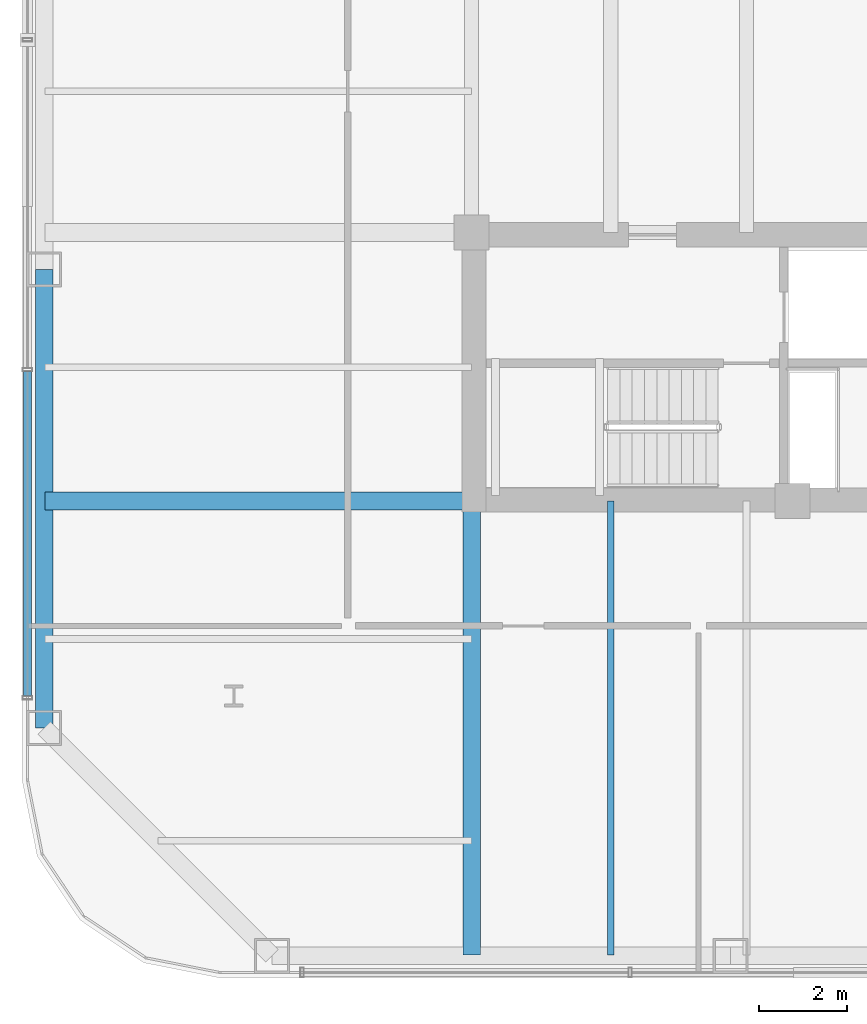
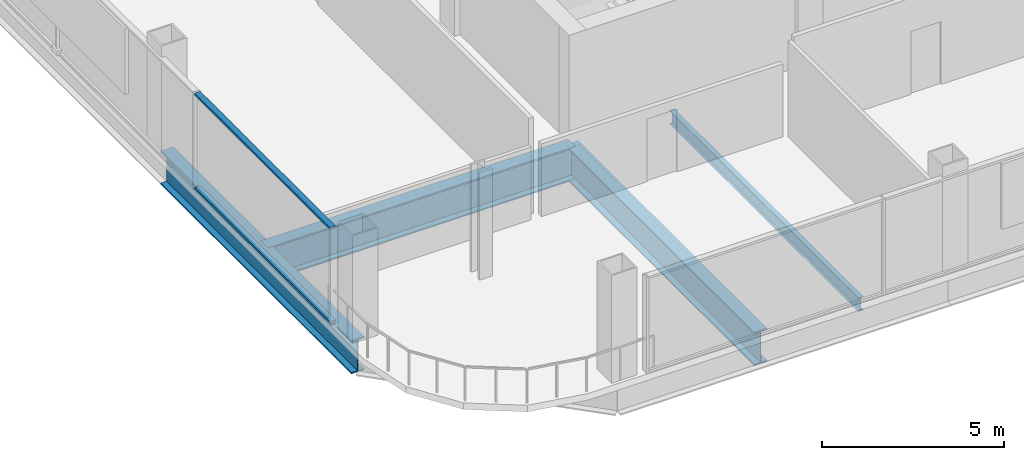
# One storey, part 3 of 24: 4 beams, 2 members, 1 element without a shape of its own.
"""IFC4 building model written with IfcOpenShell, lengths in metres."""

from ifc_helpers import new_model, si_unit, direction, frame, origin, origin_2d, place, context, subcontext, project, spatial, hollow_rectangle, i_section, extrude, material, layer, layer_set, material_profile, profile_set, type_object, element, aggregate, save


model = new_model("IFC4")

# Units and contexts
model_context = context("Model", 3, precision=1e-05, world=origin(), true_north=direction((0.0, 1.0)))
body_context = subcontext(model_context, "Body", "Model", "MODEL_VIEW")
ifc_project = project(units=[si_unit("LENGTHUNIT", "METRE"), si_unit("AREAUNIT", "SQUARE_METRE"), si_unit("VOLUMEUNIT", "CUBIC_METRE"), si_unit("PLANEANGLEUNIT", "RADIAN"), si_unit("MASSUNIT", "GRAM", prefix="KILO")], contexts=[model_context])

# Site, building, storey
site_placement = place(None, origin())
site = spatial("IfcSite", under=ifc_project, at=site_placement, CompositionType="ELEMENT")
building_placement = place(site_placement, origin())
building = spatial("IfcBuilding", under=site, at=building_placement, Name="Qhalaya Broadcast Tower", CompositionType="ELEMENT")
storey_placement = place(building_placement, frame((0.0, 0.0, 61.5)))
storey = spatial("IfcBuildingStorey", under=building, at=storey_placement, Name="L17", CompositionType="ELEMENT", Elevation=61.5)

# Beams
ifc_material_1 = material(Name="Structural Steel ASTM A992 Grade 50", Category="steel")
ifc_material_profile_1 = material_profile(ifc_material_1, i_section(OverallWidth=0.154052734375, OverallDepth=0.458984375, WebThickness=0.009033203125, FlangeThickness=0.015380859375, at=origin_2d()), Name="W18X46")
ifc_profile_set_1 = profile_set([ifc_material_profile_1], Name="Structural Steel ASTM A992 Grade 50")
beam_type_1 = type_object("IfcBeamType", Name="Composite Floor Joist J04", PredefinedType="JOIST", material=ifc_profile_set_1)
beam_1_placement = place(storey_placement, frame((-6.199951171875, -19.110107421875, -0.449462890625), z_axis=(0.0, 1.0, 0.0), x_axis=(-1.0, 0.0, 0.0)))
element("IfcBeam", 1, at=beam_1_placement, inside=storey, type_object=beam_type_1, Name="L17 J04 L17-JNS1-1", PredefinedType="JOIST", context=body_context, shape_type="SweptSolid", body=[
    extrude(i_section(OverallWidth=0.154052734375, OverallDepth=0.458984375, WebThickness=0.009033203125, FlangeThickness=0.015380859375, at=origin_2d()), origin(), (0.0, 0.0, 1.0), 10.360107421875),
])
ifc_material_profile_2 = material_profile(ifc_material_1, i_section(OverallWidth=0.404052734375, OverallDepth=1.117919921875, WebThickness=0.026123046875, FlangeThickness=0.044921875, at=origin_2d()), Name="W44X335")
ifc_profile_set_2 = profile_set([ifc_material_profile_2], Name="Structural Steel ASTM A992 Grade 50")
beam_type_2 = type_object("IfcBeamType", Name="Podium Long-Span Primary Girder PG1", PredefinedType="USERDEFINED", material=ifc_profile_set_2)
beam_2_placement = place(storey_placement, frame((-19.1298828125, -3.46337890625, -0.779052734375), z_axis=(0.0, -1.0, 0.0), x_axis=(1.0, 0.0, 0.0)))
element("IfcBeam", 2, at=beam_2_placement, inside=storey, type_object=beam_type_2, Name="L17 PG1 L17-SPR-15", ObjectType="GIRDER", PredefinedType="USERDEFINED", context=body_context, shape_type="SweptSolid", body=[
    extrude(i_section(OverallWidth=0.404052734375, OverallDepth=1.117919921875, WebThickness=0.026123046875, FlangeThickness=0.044921875, at=origin_2d()), origin(), (0.0, 0.0, 1.0), 10.466552734375),
])
beam_3_placement = place(storey_placement, frame((-9.375, -19.110107421875, -0.779052734375), z_axis=(0.0, 1.0, 0.0), x_axis=(-1.0, 0.0, 0.0)))
element("IfcBeam", 3, at=beam_3_placement, inside=storey, type_object=beam_type_2, Name="L17 PG1 L17-PGXS1-1", ObjectType="GIRDER", PredefinedType="USERDEFINED", context=body_context, shape_type="SweptSolid", body=[
    extrude(i_section(OverallWidth=0.404052734375, OverallDepth=1.117919921875, WebThickness=0.026123046875, FlangeThickness=0.044921875, at=origin_2d()), origin(), (0.0, 0.0, 1.0), 10.360107421875),
])
beam_4_placement = place(storey_placement, frame((-19.110107421875, -8.75, -0.779052734375), z_axis=(1.0, 0.0, 0.0), x_axis=(0.0, 1.0, 0.0)))
element("IfcBeam", 4, at=beam_4_placement, inside=storey, type_object=beam_type_2, Name="L17 PG1 L17-PGYW1-1", ObjectType="GIRDER", PredefinedType="USERDEFINED", context=body_context, shape_type="SweptSolid", body=[
    extrude(i_section(OverallWidth=0.404052734375, OverallDepth=1.117919921875, WebThickness=0.026123046875, FlangeThickness=0.044921875, at=origin_2d()), origin(), (0.0, 0.0, 1.0), 9.735107421875),
])

# Curtain wall, members
ifc_material_2 = material(Name="Solar-Control Low-E Triple Glazing", Category="glass")
ifc_layer = layer(ifc_material_2, 0.219970703125, Name="Solar-Control Low-E Triple Glazing")
ifc_layer_set = layer_set([ifc_layer], Name="Solar-Control Low-E Triple Glazing")
curtain_wall_type = type_object("IfcCurtainWallType", Name="Recessed Sky-Garden Neck Ribbon Curtain Wall CW-05", PredefinedType="NOTDEFINED", material=ifc_layer_set)
curtain_wall_placement = place(storey_placement, origin())
curtain_wall = element("IfcCurtainWall", 5, at=curtain_wall_placement, inside=storey, type_object=curtain_wall_type, Name="L17 Unitised Curtain Wall L17-CW-W", PredefinedType="NOTDEFINED")
ifc_material_3 = material(Name="Anodised Aluminium 6063-T6", Category="aluminium")
ifc_material_profile_3 = material_profile(ifc_material_3, hollow_rectangle(XDim=0.074951171875, YDim=0.179931640625, WallThickness=0.00390625, at=origin_2d()), Name="ALU-TRN 75x180x4")
ifc_profile_set_3 = profile_set([ifc_material_profile_3], Name="Anodised Aluminium 6063-T6")
member_type = type_object("IfcMemberType", Name="Unitised Curtain-Wall Transom T01", PredefinedType="USERDEFINED", material=ifc_profile_set_3)
member_1_placement = place(storey_placement, frame((-19.510009765625, -5.79248046875, 0.03759765625), z_axis=(0.0, -1.0, 0.0), x_axis=(0.0, 0.0, 1.0)))
member_1 = element("IfcMember", 6, at=member_1_placement, type_object=member_type, Name="CW-05 transom 4.1", ObjectType="TRANSOM", PredefinedType="USERDEFINED", context=body_context, shape_type="SweptSolid", body=[
    extrude(hollow_rectangle(XDim=0.074951171875, YDim=0.179931640625, WallThickness=0.00390625, at=origin_2d()), origin(), (0.0, 0.0, 1.0), 7.41259765625),
])
member_2_placement = place(storey_placement, frame((-19.510009765625, -5.79248046875, 3.1826171875), z_axis=(0.0, -1.0, 0.0), x_axis=(0.0, 0.0, 1.0)))
member_2 = element("IfcMember", 7, at=member_2_placement, type_object=member_type, Name="CW-05 transom 4.2", ObjectType="TRANSOM", PredefinedType="USERDEFINED", context=body_context, shape_type="SweptSolid", body=[
    extrude(hollow_rectangle(XDim=0.074951171875, YDim=0.179931640625, WallThickness=0.00390625, at=origin_2d()), origin(), (0.0, 0.0, 1.0), 7.41259765625),
])
aggregate(curtain_wall, [member_1, member_2])

save(model, "model.ifc")
